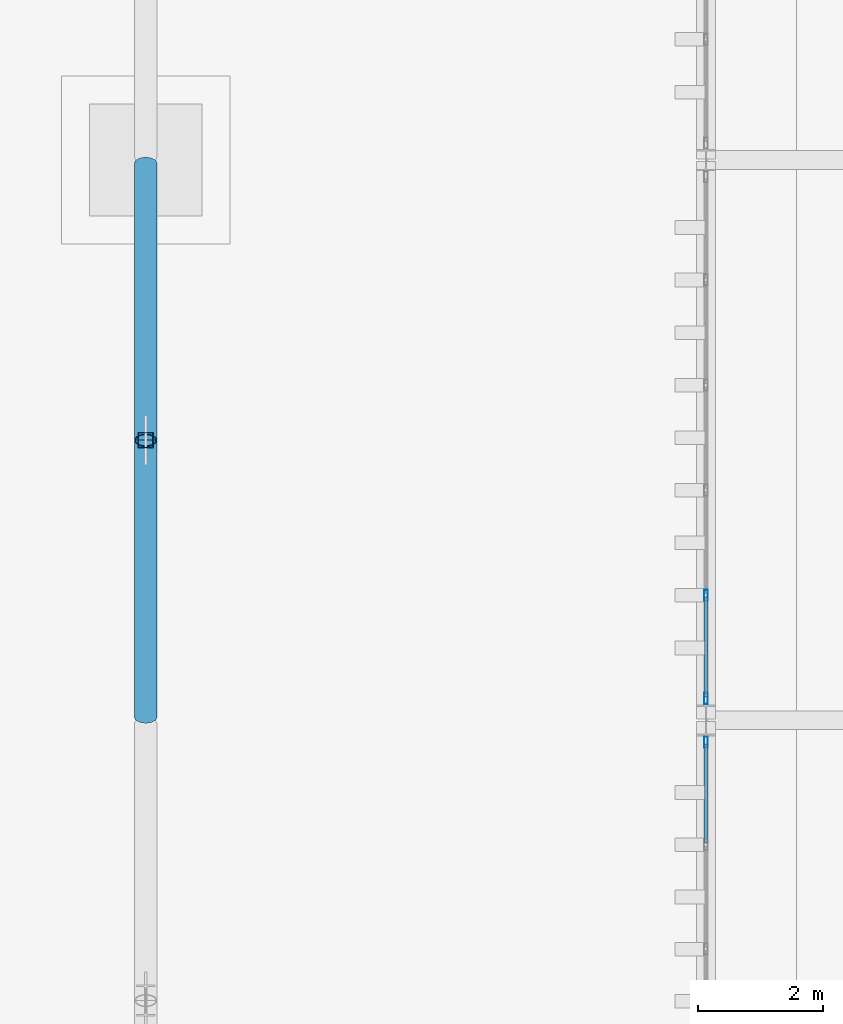
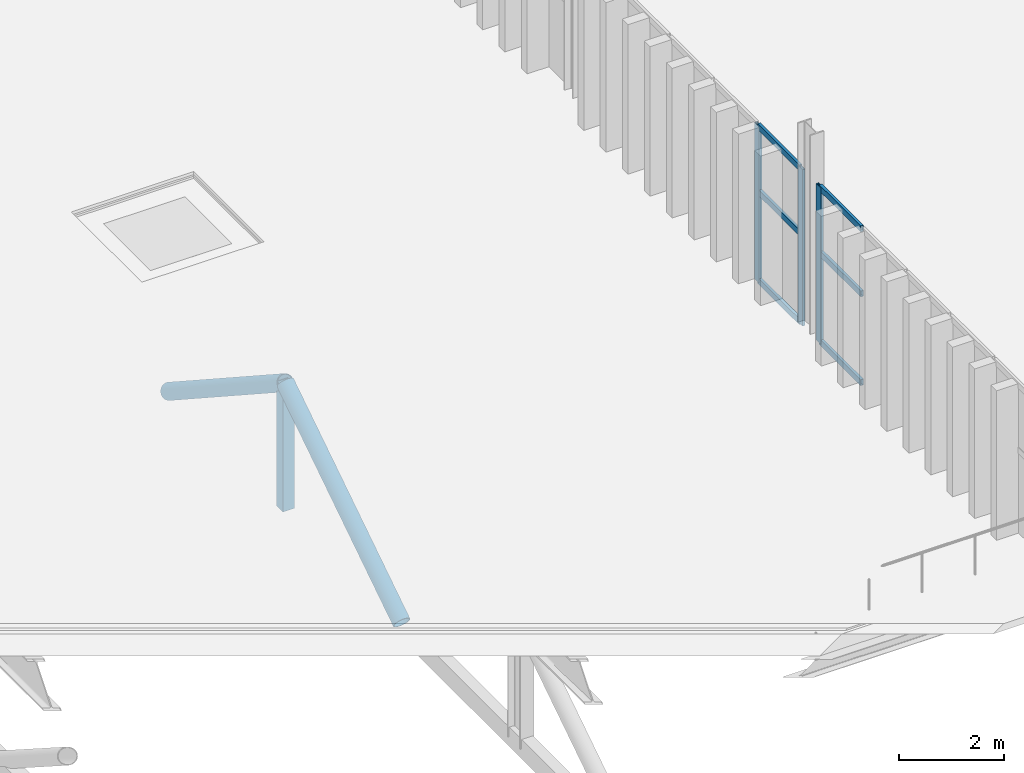
# One storey, part 104 of 196: 12 members, 2 elements without a shape of their own.
"""IFC4 building model written with IfcOpenShell, lengths in metres."""

from ifc_helpers import new_model, si_unit, direction, frame, origin, origin_2d, place, context, subcontext, project, spatial, hollow_rectangle, hollow_circle, extrude, material, layer, layer_set, material_profile, profile_set, type_object, element, aggregate, save


model = new_model("IFC4")

# Units and contexts
model_context = context("Model", 3, precision=1e-05, world=origin(), true_north=direction((0.0, 1.0)))
body_context = subcontext(model_context, "Body", "Model", "MODEL_VIEW")
ifc_project = project(units=[si_unit("LENGTHUNIT", "METRE"), si_unit("AREAUNIT", "SQUARE_METRE"), si_unit("VOLUMEUNIT", "CUBIC_METRE"), si_unit("PLANEANGLEUNIT", "RADIAN"), si_unit("MASSUNIT", "GRAM", prefix="KILO")], contexts=[model_context])

# Site, building, storey
site_placement = place(None, origin())
site = spatial("IfcSite", under=ifc_project, at=site_placement, CompositionType="ELEMENT")
building_placement = place(site_placement, origin())
building = spatial("IfcBuilding", under=site, at=building_placement, Name="Barlavento Convention Centre", CompositionType="ELEMENT")
storey_placement = place(building_placement, frame((0.0, 0.0, 18.0)))
storey = spatial("IfcBuildingStorey", under=building, at=storey_placement, Name="L03", CompositionType="ELEMENT", Elevation=18.0)

# Curtain wall, member
ifc_material_1 = material(Name="Powder-coated aluminium and Low-E glass", Category="aluminium")
ifc_layer = layer(ifc_material_1, 0.179931640625)
ifc_layer_set = layer_set([ifc_layer], Name="ARC-CW-CONF-L03")
curtain_wall_type = type_object("IfcCurtainWallType", Name="ARC-CW-CONF-L03", PredefinedType="NOTDEFINED", material=ifc_layer_set)
curtain_wall_1_placement = place(storey_placement, origin())
curtain_wall_1 = element("IfcCurtainWall", 1, at=curtain_wall_1_placement, inside=storey, type_object=curtain_wall_type, Name="L03 unitised curtain wall CW08", PredefinedType="NOTDEFINED")
ifc_material_2 = material(Name="Powder-coated aluminium", Category="aluminium")
ifc_material_profile_1 = material_profile(ifc_material_2, hollow_rectangle(XDim=0.06005859375, YDim=0.179931640625, WallThickness=0.0048828125, at=origin_2d()), Name="AL-MULL 60x180x5")
ifc_profile_set_1 = profile_set([ifc_material_profile_1], Name="Powder-coated aluminium")
member_type_1 = type_object("IfcMemberType", Name="ARC-CWM-60X180", PredefinedType="MULLION", material=ifc_profile_set_1)
member_1_placement = place(storey_placement, frame((171.0, 8.64990234375, 0.0), z_axis=(0.0, 0.0, 1.0), x_axis=(-1.0, 0.0, 0.0)))
member_1 = element("IfcMember", 2, at=member_1_placement, type_object=member_type_1, Name="CW08 mullion 6", PredefinedType="MULLION", context=body_context, shape_type="SweptSolid", body=[
    extrude(hollow_rectangle(XDim=0.06005859375, YDim=0.179931640625, WallThickness=0.0048828125, at=origin_2d()), origin(), (0.0, 0.0, 1.0), 3.64990234375),
])

# Curtain wall, members
curtain_wall_2_placement = place(storey_placement, origin())
curtain_wall_2 = element("IfcCurtainWall", 3, at=curtain_wall_2_placement, inside=storey, type_object=curtain_wall_type, Name="L03 unitised curtain wall CW08", PredefinedType="NOTDEFINED")
member_2_placement = place(storey_placement, frame((171.0, 9.35009765625, 0.0), z_axis=(0.0, 0.0, 1.0), x_axis=(-1.0, 0.0, 0.0)))
member_2 = element("IfcMember", 4, at=member_2_placement, type_object=member_type_1, Name="CW08 mullion 1", PredefinedType="MULLION", context=body_context, shape_type="SweptSolid", body=[
    extrude(hollow_rectangle(XDim=0.06005859375, YDim=0.179931640625, WallThickness=0.0048828125, at=origin_2d()), origin(), (0.0, 0.0, 1.0), 3.64990234375),
])
member_3_placement = place(storey_placement, frame((171.0, 11.008056640625, 0.0), z_axis=(0.0, 0.0, 1.0), x_axis=(-1.0, 0.0, 0.0)))
member_3 = element("IfcMember", 5, at=member_3_placement, type_object=member_type_1, Name="CW08 mullion 2", PredefinedType="MULLION", context=body_context, shape_type="SweptSolid", body=[
    extrude(hollow_rectangle(XDim=0.06005859375, YDim=0.179931640625, WallThickness=0.0048828125, at=origin_2d()), origin(), (0.0, 0.0, 1.0), 3.64990234375),
])

# Member
ifc_material_profile_2 = material_profile(ifc_material_2, hollow_rectangle(XDim=0.06005859375, YDim=0.139892578125, WallThickness=0.00390625, at=origin_2d()), Name="AL-TRAN 60x140x4")
ifc_profile_set_2 = profile_set([ifc_material_profile_2], Name="Powder-coated aluminium")
member_type_2 = type_object("IfcMemberType", Name="ARC-CWT-60X140", PredefinedType="USERDEFINED", material=ifc_profile_set_2)
member_4_placement = place(storey_placement, frame((171.0, 7.032958984375, 0.030029296875), z_axis=(0.0, 1.0, 0.0), x_axis=(-1.0, 0.0, 0.0)))
member_4 = element("IfcMember", 6, at=member_4_placement, type_object=member_type_2, Name="CW08 transom 5.1", ObjectType="TRANSOM", PredefinedType="USERDEFINED", context=body_context, shape_type="SweptSolid", body=[
    extrude(hollow_rectangle(XDim=0.06005859375, YDim=0.139892578125, WallThickness=0.00390625, at=origin_2d()), origin(), (0.0, 0.0, 1.0), 1.587158203125),
])

member_5_placement = place(storey_placement, frame((171.0, 7.032958984375, 2.10009765625), z_axis=(0.0, 1.0, 0.0), x_axis=(-1.0, 0.0, 0.0)))
member_5 = element("IfcMember", 7, at=member_5_placement, type_object=member_type_2, Name="CW08 transom 5.2", ObjectType="TRANSOM", PredefinedType="USERDEFINED", context=body_context, shape_type="SweptSolid", body=[
    extrude(hollow_rectangle(XDim=0.06005859375, YDim=0.139892578125, WallThickness=0.00390625, at=origin_2d()), origin(), (0.0, 0.0, 1.0), 1.587158203125),
])

member_6_placement = place(storey_placement, frame((171.0, 7.032958984375, 3.6201171875), z_axis=(0.0, 1.0, 0.0), x_axis=(-1.0, 0.0, 0.0)))
member_6 = element("IfcMember", 8, at=member_6_placement, type_object=member_type_2, Name="CW08 transom 5.3", ObjectType="TRANSOM", PredefinedType="USERDEFINED", context=body_context, shape_type="SweptSolid", body=[
    extrude(hollow_rectangle(XDim=0.06005859375, YDim=0.139892578125, WallThickness=0.00390625, at=origin_2d()), origin(), (0.0, 0.0, 1.0), 1.587158203125),
])

aggregate(curtain_wall_1, [member_1, member_4, member_5, member_6])

member_7_placement = place(storey_placement, frame((171.0, 9.3798828125, 0.030029296875), z_axis=(0.0, 1.0, 0.0), x_axis=(-1.0, 0.0, 0.0)))
member_7 = element("IfcMember", 9, at=member_7_placement, type_object=member_type_2, Name="CW08 transom 1.1", ObjectType="TRANSOM", PredefinedType="USERDEFINED", context=body_context, shape_type="SweptSolid", body=[
    extrude(hollow_rectangle(XDim=0.06005859375, YDim=0.139892578125, WallThickness=0.00390625, at=origin_2d()), origin(), (0.0, 0.0, 1.0), 1.59814453125),
])

member_8_placement = place(storey_placement, frame((171.0, 9.3798828125, 2.10009765625), z_axis=(0.0, 1.0, 0.0), x_axis=(-1.0, 0.0, 0.0)))
member_8 = element("IfcMember", 10, at=member_8_placement, type_object=member_type_2, Name="CW08 transom 1.2", ObjectType="TRANSOM", PredefinedType="USERDEFINED", context=body_context, shape_type="SweptSolid", body=[
    extrude(hollow_rectangle(XDim=0.06005859375, YDim=0.139892578125, WallThickness=0.00390625, at=origin_2d()), origin(), (0.0, 0.0, 1.0), 1.59814453125),
])

member_9_placement = place(storey_placement, frame((171.0, 9.3798828125, 3.6201171875), z_axis=(0.0, 1.0, 0.0), x_axis=(-1.0, 0.0, 0.0)))
member_9 = element("IfcMember", 11, at=member_9_placement, type_object=member_type_2, Name="CW08 transom 1.3", ObjectType="TRANSOM", PredefinedType="USERDEFINED", context=body_context, shape_type="SweptSolid", body=[
    extrude(hollow_rectangle(XDim=0.06005859375, YDim=0.139892578125, WallThickness=0.00390625, at=origin_2d()), origin(), (0.0, 0.0, 1.0), 1.59814453125),
])

aggregate(curtain_wall_2, [member_2, member_3, member_7, member_8, member_9])

# Members
ifc_material_3 = material(Name="Steel S355", Category="steel")
ifc_material_profile_3 = material_profile(ifc_material_3, hollow_circle(Radius=0.177734375, WallThickness=0.01611328125, at=origin_2d()), Name="CHS 355.6x16.0")
ifc_profile_set_3 = profile_set([ifc_material_profile_3], Name="Steel S355")
member_type_3 = type_object("IfcMemberType", Name="STR-MEM-CHD-CHS355", PredefinedType="CHORD", material=ifc_profile_set_3)
for number, where, z_axis, x_axis, name in (
    (12, (162.0, 9.050048828125, -3.64990234375), (0.0, 0.837635280433, 0.5462299305), (-1.0, 0.0, 0.0), "Ballroom transfer truss diagonal TC01"),
    (13, (162.0, 13.5, -0.748046875), (0.0, 0.837635280433, -0.5462299305), (-1.0, 0.0, 0.0), "Ballroom transfer truss diagonal TC01"),
):
    element("IfcMember", number, at=place(storey_placement, frame(where, z_axis=z_axis, x_axis=x_axis)), inside=storey, type_object=member_type_3, Name=name, PredefinedType="CHORD", context=body_context, shape_type="SweptSolid", body=[
        extrude(hollow_circle(Radius=0.177734375, WallThickness=0.01611328125, at=origin_2d()), origin(), (0.0, 0.0, 1.0), 5.3125),
    ])
ifc_material_profile_4 = material_profile(ifc_material_3, hollow_rectangle(XDim=0.25, YDim=0.25, WallThickness=0.012451171875, at=origin_2d()), Name="SHS 250x250x12.5")
ifc_profile_set_4 = profile_set([ifc_material_profile_4], Name="Steel S355")
member_type_4 = type_object("IfcMemberType", Name="STR-MEM-STRUT-SHS250", PredefinedType="STRUT", material=ifc_profile_set_4)
member_10_placement = place(storey_placement, frame((162.0, 13.5, -3.64990234375), z_axis=(0.0, 0.0, 1.0), x_axis=(1.0, 0.0, 0.0)))
element("IfcMember", 14, at=member_10_placement, inside=storey, type_object=member_type_4, Name="Ballroom transfer truss vertical post", PredefinedType="STRUT", context=body_context, shape_type="SweptSolid", body=[
    extrude(hollow_rectangle(XDim=0.25, YDim=0.25, WallThickness=0.012451171875, at=origin_2d()), origin(), (0.0, 0.0, 1.0), 2.90185546875),
])

save(model, "model.ifc")
